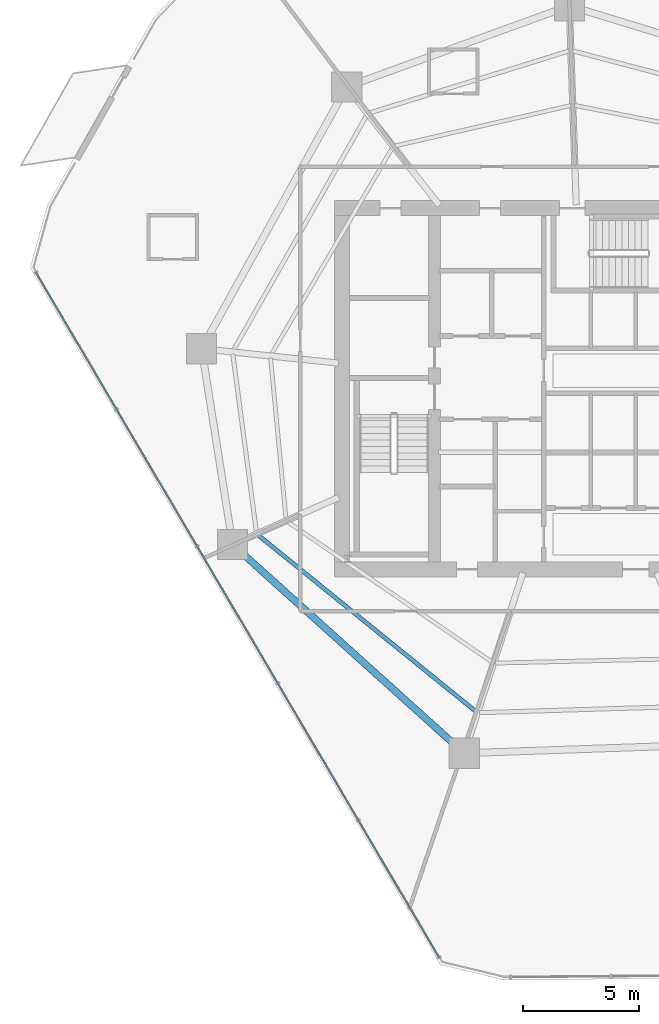
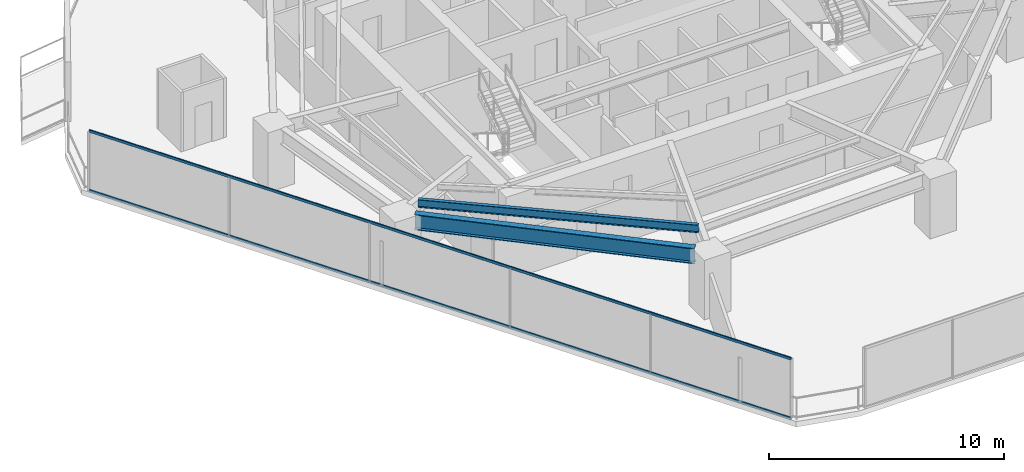
# One storey, part 4 of 31: 2 beams, 2 members, 1 element without a shape of its own.
"""IFC4 building model written with IfcOpenShell, lengths in metres."""

from ifc_helpers import new_model, si_unit, direction, frame, origin, origin_2d, place, context, subcontext, project, spatial, hollow_rectangle, i_section, extrude, material, layer, layer_set, material_profile, profile_set, type_object, element, aggregate, save


model = new_model("IFC4")

# Units and contexts
model_context = context("Model", 3, precision=1e-05, world=origin(), true_north=direction((0.0, 1.0)))
body_context = subcontext(model_context, "Body", "Model", "MODEL_VIEW")
ifc_project = project(units=[si_unit("LENGTHUNIT", "METRE"), si_unit("AREAUNIT", "SQUARE_METRE"), si_unit("VOLUMEUNIT", "CUBIC_METRE"), si_unit("PLANEANGLEUNIT", "RADIAN"), si_unit("MASSUNIT", "GRAM", prefix="KILO")], contexts=[model_context])

# Site, building, storey
site_placement = place(None, origin())
site = spatial("IfcSite", under=ifc_project, at=site_placement, CompositionType="ELEMENT")
building_placement = place(site_placement, origin())
building = spatial("IfcBuilding", under=site, at=building_placement, Name="Qarnah Convention Tower", CompositionType="ELEMENT")
storey_placement = place(building_placement, frame((0.0, 0.0, 68.39990234375)))
storey = spatial("IfcBuildingStorey", under=building, at=storey_placement, Name="L17", CompositionType="ELEMENT", Elevation=68.39990234375)

# Beams
ifc_material_1 = material(Name="Structural steel S355JR", Category="steel")
ifc_material_profile_1 = material_profile(ifc_material_1, i_section(OverallWidth=0.177978515625, OverallDepth=0.407958984375, WebThickness=0.008056640625, FlangeThickness=0.012939453125, at=origin_2d()), Name="W410X60")
ifc_profile_set_1 = profile_set([ifc_material_profile_1], Name="Structural steel S355JR")
beam_type_1 = type_object("IfcBeamType", Name="BM-JST-W410", PredefinedType="JOIST", material=ifc_profile_set_1)
beam_1_placement = place(storey_placement, frame((23.18896484375, 20.073974609375, 2.885986328125), z_axis=(0.777068026563, -0.629416620445, 0.0), x_axis=(0.629416620445, 0.777068026563, 0.0)))
element("IfcBeam", 1, at=beam_1_placement, inside=storey, type_object=beam_type_1, Name="L17 joist BM-L17-SJST-06", PredefinedType="JOIST", context=body_context, shape_type="SweptSolid", body=[
    extrude(i_section(OverallWidth=0.177978515625, OverallDepth=0.407958984375, WebThickness=0.008056640625, FlangeThickness=0.012939453125, at=origin_2d()), origin(), (0.0, 0.0, 1.0), 12.09033203125),
])
ifc_material_profile_2 = material_profile(ifc_material_1, i_section(OverallWidth=0.300048828125, OverallDepth=0.800048828125, WebThickness=0.01806640625, FlangeThickness=0.032958984375, at=origin_2d()), Name="HEB800")
ifc_profile_set_2 = profile_set([ifc_material_profile_2], Name="Structural steel S355JR")
beam_type_2 = type_object("IfcBeamType", Name="BM-RING-HEB800", PredefinedType="BEAM", material=ifc_profile_set_2)
beam_2_placement = place(storey_placement, frame((22.556884765625, 19.240966796875, 2.690185546875), z_axis=(0.743082870291, -0.669199408159, 0.0), x_axis=(0.669199408159, 0.743082870291, 0.0)))
element("IfcBeam", 2, at=beam_2_placement, inside=storey, type_object=beam_type_2, Name="L17 beam BM-L17-SPN-06", PredefinedType="BEAM", context=body_context, shape_type="SweptSolid", body=[
    extrude(i_section(OverallWidth=0.300048828125, OverallDepth=0.800048828125, WebThickness=0.01806640625, FlangeThickness=0.032958984375, at=origin_2d()), origin(), (0.0, 0.0, 1.0), 12.183349609375),
])

# Curtain wall, members
ifc_material_2 = material(Name="Tempered Low-E dark glass", Category="glass")
ifc_layer = layer(ifc_material_2, 0.16796875)
ifc_layer_set = layer_set([ifc_layer], Name="Tempered Low-E dark glass")
curtain_wall_type = type_object("IfcCurtainWallType", Name="CWS-01", PredefinedType="NOTDEFINED", material=ifc_layer_set)
curtain_wall_placement = place(storey_placement, origin())
curtain_wall = element("IfcCurtainWall", 3, at=curtain_wall_placement, inside=storey, type_object=curtain_wall_type, Name="L17 unitised curtain wall CW-L17-F3", PredefinedType="NOTDEFINED")
ifc_material_3 = material(Name="Black anodised aluminium", Category="aluminium")
ifc_material_profile_3 = material_profile(ifc_material_3, hollow_rectangle(XDim=0.06005859375, YDim=0.1298828125, WallThickness=0.00390625, at=origin_2d()), Name="TRN-60X130")
ifc_profile_set_3 = profile_set([ifc_material_profile_3], Name="Black anodised aluminium")
member_type = type_object("IfcMemberType", Name="TRN-T1", PredefinedType="USERDEFINED", material=ifc_profile_set_3)
member_1_placement = place(storey_placement, frame((30.9990234375, 1.842041015625, 0.0), z_axis=(-0.507223977483, 0.861814270401, 0.0), x_axis=(-0.861814270401, -0.507223977483, 0.0)))
member_1 = element("IfcMember", 4, at=member_1_placement, type_object=member_type, Name="CW-L17-F3 transom 1", ObjectType="TRANSOM", PredefinedType="USERDEFINED", context=body_context, shape_type="SweptSolid", body=[
    extrude(hollow_rectangle(XDim=0.06005859375, YDim=0.1298828125, WallThickness=0.00390625, at=origin_2d()), origin(), (0.0, 0.0, 1.0), 34.33203125),
])
member_2_placement = place(storey_placement, frame((30.9990234375, 1.842041015625, 3.090087890625), z_axis=(-0.507223977483, 0.861814270401, 0.0), x_axis=(-0.861814270401, -0.507223977483, 0.0)))
member_2 = element("IfcMember", 5, at=member_2_placement, type_object=member_type, Name="CW-L17-F3 transom 2", ObjectType="TRANSOM", PredefinedType="USERDEFINED", context=body_context, shape_type="SweptSolid", body=[
    extrude(hollow_rectangle(XDim=0.06005859375, YDim=0.1298828125, WallThickness=0.00390625, at=origin_2d()), origin(), (0.0, 0.0, 1.0), 34.33203125),
])
aggregate(curtain_wall, [member_1, member_2])

save(model, "model.ifc")
